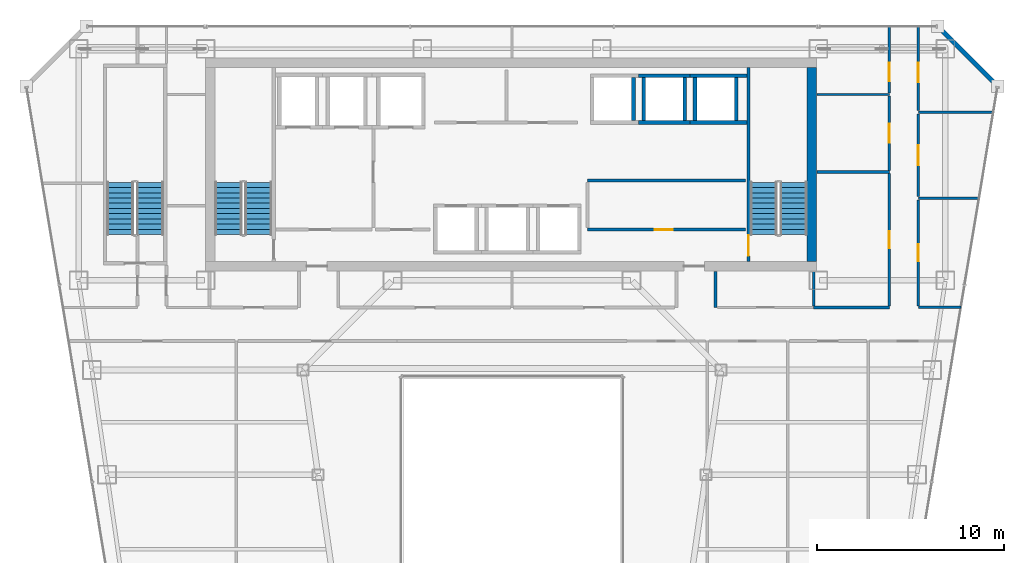
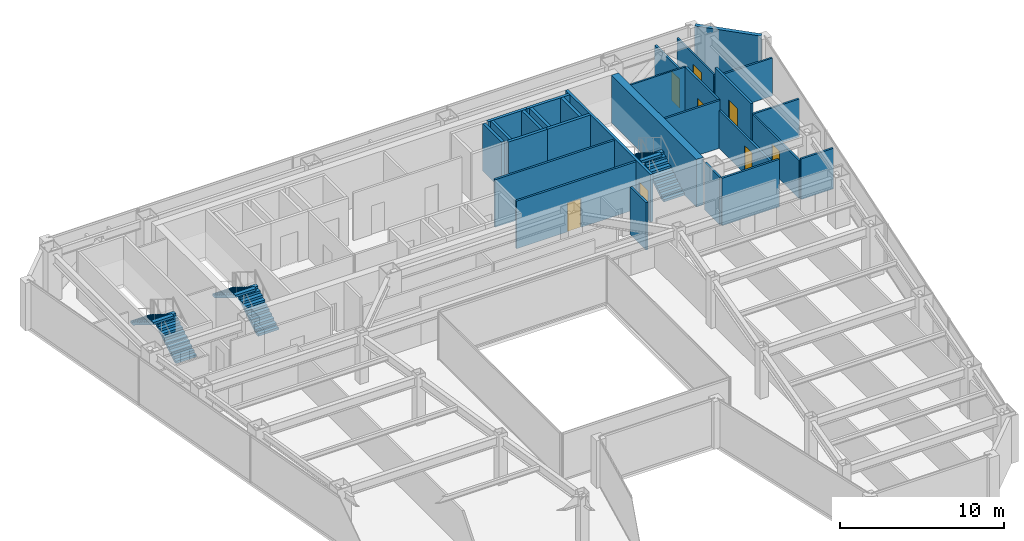
# One storey, part 33 of 36: 28 walls, 8 doors, 6 stair flights, 8 openings, 3 elements without a shape of their own.
"""IFC4 building model written with IfcOpenShell, lengths in metres."""

from ifc_helpers import new_model, si_unit, direction, frame, frame_2d, origin, place, context, subcontext, project, spatial, polyline, rectangle, outline, extrude, material, layer, layer_set, type_object, element, fill, aggregate, save


model = new_model("IFC4")

# Units and contexts
model_context = context("Model", 3, precision=1e-05, world=origin(), true_north=direction((0.0, 1.0)))
body_context = subcontext(model_context, "Body", "Model", "MODEL_VIEW")
ifc_project = project(units=[si_unit("LENGTHUNIT", "METRE"), si_unit("AREAUNIT", "SQUARE_METRE"), si_unit("VOLUMEUNIT", "CUBIC_METRE"), si_unit("PLANEANGLEUNIT", "RADIAN"), si_unit("MASSUNIT", "GRAM", prefix="KILO")], contexts=[model_context])

# Site, building, storey
site_placement = place(None, origin())
site = spatial("IfcSite", under=ifc_project, at=site_placement, CompositionType="ELEMENT")
building_placement = place(site_placement, origin())
building = spatial("IfcBuilding", under=site, at=building_placement, Name="Saevonmaru Cultural Tower", CompositionType="ELEMENT")
storey_placement = place(building_placement, frame((0.0, 0.0, 148.60009765625)))
storey = spatial("IfcBuildingStorey", under=building, at=storey_placement, Name="L32", CompositionType="ELEMENT", Elevation=148.60009765625)

# Wall
ifc_material_1 = material(Name="Concrete C60/75", Category="concrete")
ifc_layer_1 = layer(ifc_material_1, 0.5, Name="Concrete C60/75")
ifc_layer_set_1 = layer_set([ifc_layer_1], Name="Concrete C60/75")
wall_type_1 = type_object("IfcWallType", Name="WL-CORE-500", PredefinedType="SHEAR", material=ifc_layer_set_1)
wall_1_placement = place(storey_placement, frame((46.050048828125, 43.39990234375, 0.0), z_axis=(0.0, 0.0, 1.0), x_axis=(0.0, 1.0, 0.0)))
element("IfcWall", 1, at=wall_1_placement, inside=storey, type_object=wall_type_1, Name="L32 Tower RC core shear wall E", PredefinedType="SHEAR", context=body_context, shape_type="SweptSolid", body=[
    extrude(rectangle(XDim=10.400146484375, YDim=0.5, at=frame_2d((5.2001953125, 0.0))), origin(), (0.0, 0.0, 1.0), 3.5498046875),
])

# Wall, opening, door
ifc_material_2 = material(Name="Gypsum Fireboard Partition", Category="gypsum")
ifc_layer_2 = layer(ifc_material_2, 0.14990234375, Name="Gypsum Fireboard Partition")
ifc_layer_set_2 = layer_set([ifc_layer_2], Name="Gypsum Fireboard Partition")
wall_type_2 = type_object("IfcWallType", Name="WL-CORE-PART-150", PredefinedType="PARTITIONING", material=ifc_layer_set_2)
wall_2_placement = place(storey_placement, frame((34.050048828125, 45.1201171875, 0.0), z_axis=(0.0, 0.0, 1.0), x_axis=(1.0, 0.0, 0.0)))
wall_2 = element("IfcWall", 2, at=wall_2_placement, inside=storey, type_object=wall_type_2, Name="L32 Core Service South Wall", PredefinedType="PARTITIONING", context=body_context, shape_type="SweptSolid", body=[
    extrude(rectangle(XDim=8.449951171875, YDim=0.14990234375, at=frame_2d((4.22509765625, 0.0))), origin(), (0.0, 0.0, 1.0), 3.5498046875),
])
opening_1_placement = place(wall_2_placement, frame((3.60009765625, 0.0, 0.0)))
opening_1 = element("IfcOpeningElement", 3, at=opening_1_placement, cuts=wall_2, Name="Opening FD-4", PredefinedType="OPENING", context=body_context, shape_type="SweptSolid", body=[
    extrude(rectangle(XDim=0.949951171875, YDim=2.14990234375, at=frame_2d((0.47509765625, 1.074951171875))), frame((0.0, 0.0849609375, 0.0), z_axis=(0.0, -1.0, 0.0), x_axis=(1.0, 0.0, 0.0)), (0.0, 0.0, 1.0), 0.169921875),
])
ifc_material_3 = material(Name="Satin Bronze Anodised Aluminium", Category="aluminium")
door_type_1 = type_object("IfcDoorType", Name="DR-FD60-950", OperationType="SINGLE_SWING_LEFT", PredefinedType="DOOR", material=ifc_material_3)
door_1_placement = place(opening_1_placement, origin())
door_1 = element("IfcDoor", 4, at=door_1_placement, inside=storey, type_object=door_type_1, Name="L32 Telecom Riser Plant Door", OperationType="SINGLE_SWING_LEFT", OverallHeight=2.14990234375, OverallWidth=0.949951171875, PredefinedType="DOOR", context=body_context, shape_type="SweptSolid", body=[
    extrude(rectangle(XDim=0.949951171875, YDim=2.14990234375, at=frame_2d((0.47509765625, 1.074951171875))), frame((0.0, 0.02490234375, 0.0), z_axis=(0.0, -1.0, 0.0), x_axis=(1.0, 0.0, 0.0)), (0.0, 0.0, 1.0), 0.050048828125),
])
fill(opening_1, door_1)

# Walls
wall_3_placement = place(storey_placement, frame((34.050048828125, 47.75, 0.0), z_axis=(0.0, 0.0, 1.0), x_axis=(1.0, 0.0, 0.0)))
element("IfcWall", 5, at=wall_3_placement, inside=storey, type_object=wall_type_2, Name="L32 Core Service North Wall", PredefinedType="PARTITIONING", context=body_context, shape_type="SweptSolid", body=[
    extrude(rectangle(XDim=8.449951171875, YDim=0.14990234375, at=frame_2d((4.22509765625, 0.0))), origin(), (0.0, 0.0, 1.0), 3.5498046875),
])
ifc_material_4 = material(Name="Granite-Clad Precast Concrete C40/50", Category="masonry")
ifc_layer_3 = layer(ifc_material_4, 0.260009765625, Name="Granite-Clad Precast Concrete C40/50")
ifc_layer_set_3 = layer_set([ifc_layer_3], Name="Granite-Clad Precast Concrete C40/50")
wall_type_3 = type_object("IfcWallType", Name="WL-EXT-SPANDREL-260", PredefinedType="STANDARD", material=ifc_layer_set_3)
wall_4_placement = place(storey_placement, frame((55.886962890625, 52.9130859375, 0.0), z_axis=(0.0, 0.0, 1.0), x_axis=(-0.707106781187, 0.707106781187, 0.0)))
element("IfcWall", 6, at=wall_4_placement, inside=storey, type_object=wall_type_3, Name="L32 Chamfer Corner Spandrel Wall E9", PredefinedType="STANDARD", context=body_context, shape_type="SweptSolid", body=[
    extrude(rectangle(XDim=4.205810546875, YDim=0.260009765625, at=frame_2d((2.10302734375, 0.0))), origin(), (0.0, 0.0, 1.0), 3.5498046875),
])

# Wall, opening, door
ifc_layer_4 = layer(ifc_material_2, 0.14990234375, Name="Gypsum Fireboard Partition")
ifc_layer_set_4 = layer_set([ifc_layer_4], Name="Gypsum Fireboard Partition")
wall_type_4 = type_object("IfcWallType", Name="WL-PART-FIRE-150", PredefinedType="PARTITIONING", material=ifc_layer_set_4)
wall_5_placement = place(storey_placement, frame((50.199951171875, 48.2900390625, 0.0), z_axis=(0.0, 0.0, 1.0), x_axis=(0.0, 1.0, 0.0)))
wall_5 = element("IfcWall", 7, at=wall_5_placement, inside=storey, type_object=wall_type_4, Name="L32 Acoustic Chamber Auditorium Corridor Wall", PredefinedType="PARTITIONING", context=body_context, shape_type="SweptSolid", body=[
    extrude(rectangle(XDim=3.97998046875, YDim=0.14990234375, at=frame_2d((1.989990234375, 0.0))), origin(), (0.0, 0.0, 1.0), 3.5498046875),
])
opening_2_placement = place(wall_5_placement, frame((1.489990234375, 0.0, 0.0)))
opening_2 = element("IfcOpeningElement", 8, at=opening_2_placement, cuts=wall_5, Name="Opening ID-1B", PredefinedType="OPENING", context=body_context, shape_type="SweptSolid", body=[
    extrude(rectangle(XDim=1.0, YDim=2.14990234375, at=frame_2d((0.5, 1.074951171875))), frame((0.0, 0.0849609375, 0.0), z_axis=(0.0, -1.0, 0.0), x_axis=(1.0, 0.0, 0.0)), (0.0, 0.0, 1.0), 0.169921875),
])
ifc_material_5 = material(Name="Acoustic Stained Oak Timber", Category="wood")
door_type_2 = type_object("IfcDoorType", Name="DR-INT-1000", OperationType="SINGLE_SWING_RIGHT", PredefinedType="DOOR", material=ifc_material_5)
door_2_placement = place(opening_2_placement, origin())
door_2 = element("IfcDoor", 9, at=door_2_placement, inside=storey, type_object=door_type_2, Name="L32 Acoustic Chamber Auditorium Door", OperationType="SINGLE_SWING_LEFT", OverallHeight=2.14990234375, OverallWidth=1.0, PredefinedType="DOOR", context=body_context, shape_type="SweptSolid", body=[
    extrude(rectangle(XDim=1.0, YDim=2.14990234375, at=frame_2d((0.5, 1.074951171875))), frame((0.0, 0.02490234375, 0.0), z_axis=(0.0, -1.0, 0.0), x_axis=(1.0, 0.0, 0.0)), (0.0, 0.0, 1.0), 0.050048828125),
])
fill(opening_2, door_2)

wall_6_placement = place(storey_placement, frame((50.199951171875, 52.429931640625, 0.0), z_axis=(0.0, 0.0, 1.0), x_axis=(0.0, 1.0, 0.0)))
wall_6 = element("IfcWall", 10, at=wall_6_placement, inside=storey, type_object=wall_type_4, Name="L32 Sound Art Screening Auditorium Corridor Wall", PredefinedType="PARTITIONING", context=body_context, shape_type="SweptSolid", body=[
    extrude(rectangle(XDim=3.565185546875, YDim=0.14990234375, at=frame_2d((1.78271484375, 0.0))), origin(), (0.0, 0.0, 1.0), 2.934814453125),
])
opening_3_placement = place(wall_6_placement, frame((0.6220703125, 0.0, 0.0)))
opening_3 = element("IfcOpeningElement", 11, at=opening_3_placement, cuts=wall_6, Name="Opening ID-1B", PredefinedType="OPENING", context=body_context, shape_type="SweptSolid", body=[
    extrude(rectangle(XDim=1.0, YDim=2.14990234375, at=frame_2d((0.5, 1.074951171875))), frame((0.0, 0.0849609375, 0.0), z_axis=(0.0, -1.0, 0.0), x_axis=(1.0, 0.0, 0.0)), (0.0, 0.0, 1.0), 0.169921875),
])
door_3_placement = place(opening_3_placement, origin())
door_3 = element("IfcDoor", 12, at=door_3_placement, inside=storey, type_object=door_type_2, Name="L32 Sound Art Screening Auditorium Door", OperationType="SINGLE_SWING_RIGHT", OverallHeight=2.14990234375, OverallWidth=1.0, PredefinedType="DOOR", context=body_context, shape_type="SweptSolid", body=[
    extrude(rectangle(XDim=1.0, YDim=2.14990234375, at=frame_2d((0.5, 1.074951171875))), frame((0.0, 0.02490234375, 0.0), z_axis=(0.0, -1.0, 0.0), x_axis=(1.0, 0.0, 0.0)), (0.0, 0.0, 1.0), 0.050048828125),
])
fill(opening_3, door_3)

wall_7_placement = place(storey_placement, frame((51.75, 46.887451171875, 0.0), z_axis=(0.0, 0.0, 1.0), x_axis=(0.0, 1.0, 0.0)))
wall_7 = element("IfcWall", 13, at=wall_7_placement, inside=storey, type_object=wall_type_4, Name="L32 Sky Observatory Gallery Corridor Wall", PredefinedType="PARTITIONING", context=body_context, shape_type="SweptSolid", body=[
    extrude(rectangle(XDim=4.425048828125, YDim=0.14990234375, at=frame_2d((2.21240234375, 0.0))), origin(), (0.0, 0.0, 1.0), 3.5498046875),
])
opening_4_placement = place(wall_7_placement, frame((1.68701171875, 0.0, 0.0)))
opening_4 = element("IfcOpeningElement", 14, at=opening_4_placement, cuts=wall_7, Name="Opening ID-1", PredefinedType="OPENING", context=body_context, shape_type="SweptSolid", body=[
    extrude(rectangle(XDim=1.050048828125, YDim=2.14990234375, at=frame_2d((0.52490234375, 1.074951171875))), frame((0.0, 0.0849609375, 0.0), z_axis=(0.0, -1.0, 0.0), x_axis=(1.0, 0.0, 0.0)), (0.0, 0.0, 1.0), 0.169921875),
])
door_type_3 = type_object("IfcDoorType", Name="DR-INT-1050", OperationType="SINGLE_SWING_LEFT", PredefinedType="DOOR", material=ifc_material_3)
door_4_placement = place(opening_4_placement, origin())
door_4 = element("IfcDoor", 15, at=door_4_placement, inside=storey, type_object=door_type_3, Name="L32 Sky Observatory Gallery Door", OperationType="SINGLE_SWING_RIGHT", OverallHeight=2.14990234375, OverallWidth=1.050048828125, PredefinedType="DOOR", context=body_context, shape_type="SweptSolid", body=[
    extrude(rectangle(XDim=1.050048828125, YDim=2.14990234375, at=frame_2d((0.52490234375, 1.074951171875))), frame((0.0, 0.02490234375, 0.0), z_axis=(0.0, -1.0, 0.0), x_axis=(1.0, 0.0, 0.0)), (0.0, 0.0, 1.0), 0.050048828125),
])
fill(opening_4, door_4)

# Walls
wall_8_placement = place(storey_placement, frame((40.89990234375, 40.949951171875, 0.0), z_axis=(0.0, 0.0, 1.0), x_axis=(0.0, 1.0, 0.0)))
element("IfcWall", 16, at=wall_8_placement, inside=storey, type_object=wall_type_4, Name="L32 Core Portal Side Wall E2", PredefinedType="PARTITIONING", context=body_context, shape_type="SweptSolid", body=[
    extrude(rectangle(XDim=1.929931640625, YDim=0.14990234375, at=frame_2d((0.96484375, 0.0))), origin(), (0.0, 0.0, 1.0), 3.5498046875),
])
ifc_layer_5 = layer(ifc_material_2, 0.1201171875, Name="Gypsum Fireboard Partition")
ifc_layer_set_5 = layer_set([ifc_layer_5], Name="Gypsum Fireboard Partition")
wall_type_5 = type_object("IfcWallType", Name="WL-PART-GYP-120", PredefinedType="PARTITIONING", material=ifc_layer_set_5)
wall_9_placement = place(storey_placement, frame((46.320068359375, 52.35009765625, 0.0), z_axis=(0.0, 0.0, 1.0), x_axis=(1.0, 0.0, 0.0)))
element("IfcWall", 17, at=wall_9_placement, inside=storey, type_object=wall_type_5, Name="L32 North-East Panorama South Wall", PredefinedType="PARTITIONING", context=body_context, shape_type="SweptSolid", body=[
    extrude(rectangle(XDim=3.8798828125, YDim=0.1201171875, at=frame_2d((1.93994140625, 0.0))), origin(), (0.0, 0.0, 1.0), 3.5498046875),
])

# Wall, opening, door
wall_10_placement = place(storey_placement, frame((51.75, 41.03759765625, 0.0), z_axis=(0.0, 0.0, 1.0), x_axis=(0.0, 1.0, 0.0)))
wall_10 = element("IfcWall", 18, at=wall_10_placement, inside=storey, type_object=wall_type_5, Name="L32 Scholarly Colloquium Meeting Room Corridor Wall", PredefinedType="PARTITIONING", context=body_context, shape_type="SweptSolid", body=[
    extrude(rectangle(XDim=5.6748046875, YDim=0.1201171875, at=frame_2d((2.83740234375, 0.0))), origin(), (0.0, 0.0, 1.0), 2.8349609375),
])
opening_5_placement = place(wall_10_placement, frame((2.386962890625, 0.0, 0.0)))
opening_5 = element("IfcOpeningElement", 19, at=opening_5_placement, cuts=wall_10, Name="Opening ID-2", PredefinedType="OPENING", context=body_context, shape_type="SweptSolid", body=[
    extrude(rectangle(XDim=0.89990234375, YDim=2.10009765625, at=frame_2d((0.449951171875, 1.050048828125))), frame((0.0, 0.070068359375, 0.0), z_axis=(0.0, -1.0, 0.0), x_axis=(1.0, 0.0, 0.0)), (0.0, 0.0, 1.0), 0.14013671875),
])
door_type_4 = type_object("IfcDoorType", Name="DR-INT-900", OperationType="SINGLE_SWING_RIGHT", PredefinedType="DOOR", material=ifc_material_5)
door_5_placement = place(opening_5_placement, origin())
door_5 = element("IfcDoor", 20, at=door_5_placement, inside=storey, type_object=door_type_4, Name="L32 Scholarly Colloquium Meeting Room Door", OperationType="SINGLE_SWING_LEFT", OverallHeight=2.10009765625, OverallWidth=0.89990234375, PredefinedType="DOOR", context=body_context, shape_type="SweptSolid", body=[
    extrude(rectangle(XDim=0.89990234375, YDim=2.10009765625, at=frame_2d((0.449951171875, 1.050048828125))), frame((0.0, 0.02490234375, 0.0), z_axis=(0.0, -1.0, 0.0), x_axis=(1.0, 0.0, 0.0)), (0.0, 0.0, 1.0), 0.050048828125),
])
fill(opening_5, door_5)

wall_11_placement = place(storey_placement, frame((51.75, 51.487548828125, 0.0), z_axis=(0.0, 0.0, 1.0), x_axis=(0.0, 1.0, 0.0)))
wall_11 = element("IfcWall", 21, at=wall_11_placement, inside=storey, type_object=wall_type_5, Name="L32 Panorama Reading Room Corridor Wall", PredefinedType="PARTITIONING", context=body_context, shape_type="SweptSolid", body=[
    extrude(rectangle(XDim=4.507568359375, YDim=0.1201171875, at=frame_2d((2.25390625, 0.0))), origin(), (0.0, 0.0, 1.0), 2.934814453125),
])
opening_6_placement = place(wall_11_placement, frame((1.509033203125, 0.0, 0.0)))
opening_6 = element("IfcOpeningElement", 22, at=opening_6_placement, cuts=wall_11, Name="Opening ID-1", PredefinedType="OPENING", context=body_context, shape_type="SweptSolid", body=[
    extrude(rectangle(XDim=1.050048828125, YDim=2.14990234375, at=frame_2d((0.52490234375, 1.074951171875))), frame((0.0, 0.070068359375, 0.0), z_axis=(0.0, -1.0, 0.0), x_axis=(1.0, 0.0, 0.0)), (0.0, 0.0, 1.0), 0.14013671875),
])
door_6_placement = place(opening_6_placement, origin())
door_6 = element("IfcDoor", 23, at=door_6_placement, inside=storey, type_object=door_type_3, Name="L32 Panorama Reading Room Door", OperationType="SINGLE_SWING_LEFT", OverallHeight=2.14990234375, OverallWidth=1.050048828125, PredefinedType="DOOR", context=body_context, shape_type="SweptSolid", body=[
    extrude(rectangle(XDim=1.050048828125, YDim=2.14990234375, at=frame_2d((0.52490234375, 1.074951171875))), frame((0.0, 0.02490234375, 0.0), z_axis=(0.0, -1.0, 0.0), x_axis=(1.0, 0.0, 0.0)), (0.0, 0.0, 1.0), 0.050048828125),
])
fill(opening_6, door_6)

# Walls
ifc_layer_6 = layer(ifc_material_2, 0.135009765625, Name="Gypsum Fireboard Partition")
ifc_layer_set_6 = layer_set([ifc_layer_6], Name="Gypsum Fireboard Partition")
wall_type_6 = type_object("IfcWallType", Name="WL-PART-GYP-135", PredefinedType="PARTITIONING", material=ifc_layer_set_6)
wall_12_placement = place(storey_placement, frame((51.75, 40.949951171875, 0.0), z_axis=(0.0, 0.0, 1.0), x_axis=(1.0, 0.0, 0.0)))
element("IfcWall", 24, at=wall_12_placement, inside=storey, type_object=wall_type_6, Name="L32 NE Wing South Wall", PredefinedType="PARTITIONING", context=body_context, shape_type="SweptSolid", body=[
    extrude(rectangle(XDim=2.27490234375, YDim=0.135009765625, at=frame_2d((1.137451171875, 0.0))), origin(), (0.0, 0.0, 1.0), 3.034912109375),
])
wall_13_placement = place(storey_placement, frame((51.75, 46.800048828125, 0.0), z_axis=(0.0, 0.0, 1.0), x_axis=(1.0, 0.0, 0.0)))
element("IfcWall", 25, at=wall_13_placement, inside=storey, type_object=wall_type_6, Name="L32 NE Studio Divider 1", PredefinedType="PARTITIONING", context=body_context, shape_type="SweptSolid", body=[
    extrude(rectangle(XDim=3.247314453125, YDim=0.135009765625, at=frame_2d((1.62353515625, 0.0))), origin(), (0.0, 0.0, 1.0), 2.8349609375),
])
wall_14_placement = place(storey_placement, frame((51.75, 51.39990234375, 0.0), z_axis=(0.0, 0.0, 1.0), x_axis=(1.0, 0.0, 0.0)))
element("IfcWall", 26, at=wall_14_placement, inside=storey, type_object=wall_type_6, Name="L32 NE Studio Divider 2", PredefinedType="PARTITIONING", context=body_context, shape_type="SweptSolid", body=[
    extrude(rectangle(XDim=4.01220703125, YDim=0.135009765625, at=frame_2d((2.006103515625, 0.0))), origin(), (0.0, 0.0, 1.0), 2.8349609375),
])
ifc_layer_7 = layer(ifc_material_2, 0.139892578125, Name="Gypsum Fireboard Partition")
ifc_layer_set_7 = layer_set([ifc_layer_7], Name="Gypsum Fireboard Partition")
wall_type_7 = type_object("IfcWallType", Name="WL-PART-WET-140", PredefinedType="PARTITIONING", material=ifc_layer_set_7)
wall_15_placement = place(storey_placement, frame((46.14990234375, 40.949951171875, 0.0), z_axis=(0.0, 0.0, 1.0), x_axis=(1.0, 0.0, 0.0)))
element("IfcWall", 27, at=wall_15_placement, inside=storey, type_object=wall_type_7, Name="L32 Washroom South Wall", PredefinedType="PARTITIONING", context=body_context, shape_type="SweptSolid", body=[
    extrude(rectangle(XDim=4.050048828125, YDim=0.139892578125, at=frame_2d((2.02490234375, 0.0))), origin(), (0.0, 0.0, 1.0), 3.5498046875),
])
wall_16_placement = place(storey_placement, frame((46.14990234375, 41.0400390625, 0.0), z_axis=(0.0, 0.0, 1.0), x_axis=(0.0, 1.0, 0.0)))
element("IfcWall", 28, at=wall_16_placement, inside=storey, type_object=wall_type_7, Name="L32 Washroom South-West Return", PredefinedType="PARTITIONING", context=body_context, shape_type="SweptSolid", body=[
    extrude(rectangle(XDim=1.83984375, YDim=0.139892578125, at=frame_2d((0.919921875, 0.0))), origin(), (0.0, 0.0, 1.0), 3.5498046875),
])
wall_17_placement = place(storey_placement, frame((46.320068359375, 48.199951171875, 0.0), z_axis=(0.0, 0.0, 1.0), x_axis=(1.0, 0.0, 0.0)))
element("IfcWall", 29, at=wall_17_placement, inside=storey, type_object=wall_type_7, Name="L32 Washroom North Wall", PredefinedType="PARTITIONING", context=body_context, shape_type="SweptSolid", body=[
    extrude(rectangle(XDim=3.8798828125, YDim=0.139892578125, at=frame_2d((1.93994140625, 0.0))), origin(), (0.0, 0.0, 1.0), 3.5498046875),
])

# Wall, opening, door
wall_18_placement = place(storey_placement, frame((50.199951171875, 41.0400390625, 0.0), z_axis=(0.0, 0.0, 1.0), x_axis=(0.0, 1.0, 0.0)))
wall_18 = element("IfcWall", 30, at=wall_18_placement, inside=storey, type_object=wall_type_7, Name="L32 Washroom Corridor Wall", PredefinedType="PARTITIONING", context=body_context, shape_type="SweptSolid", body=[
    extrude(rectangle(XDim=7.070068359375, YDim=0.139892578125, at=frame_2d((3.53515625, 0.0))), origin(), (0.0, 0.0, 1.0), 2.8349609375),
])
opening_7_placement = place(wall_18_placement, frame((3.0849609375, 0.0, 0.0)))
opening_7 = element("IfcOpeningElement", 31, at=opening_7_placement, cuts=wall_18, Name="Opening ID-2", PredefinedType="OPENING", context=body_context, shape_type="SweptSolid", body=[
    extrude(rectangle(XDim=0.89990234375, YDim=2.10009765625, at=frame_2d((0.449951171875, 1.050048828125))), frame((0.0, 0.080078125, 0.0), z_axis=(0.0, -1.0, 0.0), x_axis=(1.0, 0.0, 0.0)), (0.0, 0.0, 1.0), 0.159912109375),
])
door_7_placement = place(opening_7_placement, origin())
door_7 = element("IfcDoor", 32, at=door_7_placement, inside=storey, type_object=door_type_4, Name="L32 Public Accessible Washrooms Door", OperationType="SINGLE_SWING_RIGHT", OverallHeight=2.10009765625, OverallWidth=0.89990234375, PredefinedType="DOOR", context=body_context, shape_type="SweptSolid", body=[
    extrude(rectangle(XDim=0.89990234375, YDim=2.10009765625, at=frame_2d((0.449951171875, 1.050048828125))), frame((0.0, 0.02490234375, 0.0), z_axis=(0.0, -1.0, 0.0), x_axis=(1.0, 0.0, 0.0)), (0.0, 0.0, 1.0), 0.050048828125),
])
fill(opening_7, door_7)

# Walls
ifc_material_6 = material(Name="Concrete C40/50", Category="concrete")
ifc_layer_8 = layer(ifc_material_6, 0.199951171875, Name="Concrete C40/50")
ifc_layer_set_8 = layer_set([ifc_layer_8], Name="Concrete C40/50")
wall_type_8 = type_object("IfcWallType", Name="WL-SHAFT-200", PredefinedType="SHEAR", material=ifc_layer_set_8)
wall_19_placement = place(storey_placement, frame((36.5, 50.949951171875, 0.0), z_axis=(0.0, 0.0, 1.0), x_axis=(0.0, 1.0, 0.0)))
element("IfcWall", 33, at=wall_19_placement, inside=storey, type_object=wall_type_8, Name="L32 Lift PL-H1 Hoistway Wall E", PredefinedType="SHEAR", context=body_context, shape_type="SweptSolid", body=[
    extrude(rectangle(XDim=2.300048828125, YDim=0.199951171875, at=frame_2d((1.14990234375, 0.0))), origin(), (0.0, 0.0, 1.0), 3.5498046875),
])
for number, where, z_axis, x_axis, name in (
    (34, (36.77490234375, 50.85009765625, 0.0), (0.0, 0.0, 1.0), (1.0, 0.0, 0.0), "L32 Lift PL-H2 Hoistway Wall S"),
    (35, (36.77490234375, 53.35009765625, 0.0), (0.0, 0.0, 1.0), (1.0, 0.0, 0.0), "L32 Lift PL-H2 Hoistway Wall N"),
):
    element("IfcWall", number, at=place(storey_placement, frame(where, z_axis=z_axis, x_axis=x_axis)), inside=storey, type_object=wall_type_8, Name=name, PredefinedType="SHEAR", context=body_context, shape_type="SweptSolid", body=[
        extrude(rectangle(XDim=2.75, YDim=0.199951171875, at=frame_2d((1.375, 0.0))), origin(), (0.0, 0.0, 1.0), 3.5498046875),
    ])
for number, where, z_axis, x_axis, name in (
    (36, (37.050048828125, 50.949951171875, 0.0), (0.0, 0.0, 1.0), (0.0, 1.0, 0.0), "L32 Lift PL-H2 Hoistway Wall W"),
    (37, (39.25, 50.949951171875, 0.0), (0.0, 0.0, 1.0), (0.0, 1.0, 0.0), "L32 Lift PL-H2 Hoistway Wall E"),
):
    element("IfcWall", number, at=place(storey_placement, frame(where, z_axis=z_axis, x_axis=x_axis)), inside=storey, type_object=wall_type_8, Name=name, PredefinedType="SHEAR", context=body_context, shape_type="SweptSolid", body=[
        extrude(rectangle(XDim=2.300048828125, YDim=0.199951171875, at=frame_2d((1.14990234375, 0.0))), origin(), (0.0, 0.0, 1.0), 3.5498046875),
    ])
for number, where, z_axis, x_axis, name in (
    (38, (39.52490234375, 50.85009765625, 0.0), (0.0, 0.0, 1.0), (1.0, 0.0, 0.0), "L32 Lift PL-H3 Hoistway Wall S"),
    (39, (39.52490234375, 53.35009765625, 0.0), (0.0, 0.0, 1.0), (1.0, 0.0, 0.0), "L32 Lift PL-H3 Hoistway Wall N"),
):
    element("IfcWall", number, at=place(storey_placement, frame(where, z_axis=z_axis, x_axis=x_axis)), inside=storey, type_object=wall_type_8, Name=name, PredefinedType="SHEAR", context=body_context, shape_type="SweptSolid", body=[
        extrude(rectangle(XDim=3.045166015625, YDim=0.199951171875, at=frame_2d((1.5224609375, 0.0))), origin(), (0.0, 0.0, 1.0), 3.5498046875),
    ])
for number, where, z_axis, x_axis, name in (
    (40, (39.800048828125, 50.949951171875, 0.0), (0.0, 0.0, 1.0), (0.0, 1.0, 0.0), "L32 Lift PL-H3 Hoistway Wall W"),
    (41, (42.0, 50.949951171875, 0.0), (0.0, 0.0, 1.0), (0.0, 1.0, 0.0), "L32 Lift PL-H3 Hoistway Wall E"),
):
    element("IfcWall", number, at=place(storey_placement, frame(where, z_axis=z_axis, x_axis=x_axis)), inside=storey, type_object=wall_type_8, Name=name, PredefinedType="SHEAR", context=body_context, shape_type="SweptSolid", body=[
        extrude(rectangle(XDim=2.300048828125, YDim=0.199951171875, at=frame_2d((1.14990234375, 0.0))), origin(), (0.0, 0.0, 1.0), 3.5498046875),
    ])

# Wall, opening, door
ifc_layer_9 = layer(ifc_material_6, 0.179931640625, Name="Concrete C40/50")
ifc_layer_set_9 = layer_set([ifc_layer_9], Name="Concrete C40/50")
wall_type_9 = type_object("IfcWallType", Name="WL-STSHAFT-180", PredefinedType="SHEAR", material=ifc_layer_set_9)
wall_20_placement = place(storey_placement, frame((42.659912109375, 53.800048828125, 0.0), z_axis=(0.0, 0.0, 1.0), x_axis=(0.0, -1.0, 0.0)))
wall_20 = element("IfcWall", 42, at=wall_20_placement, inside=storey, type_object=wall_type_9, Name="L32 Stair ST-2 Structural Shaft Wall 1", PredefinedType="SHEAR", context=body_context, shape_type="SweptSolid", body=[
    extrude(rectangle(XDim=10.400146484375, YDim=0.179931640625, at=frame_2d((5.2001953125, 0.0))), origin(), (0.0, 0.0, 1.0), 3.5498046875),
])
opening_8_placement = place(wall_20_placement, frame((8.989990234375, 0.0, 0.0)))
opening_8 = element("IfcOpeningElement", 43, at=opening_8_placement, cuts=wall_20, Name="Opening FD-2", PredefinedType="OPENING", context=body_context, shape_type="SweptSolid", body=[
    extrude(rectangle(XDim=1.10009765625, YDim=2.14990234375, at=frame_2d((0.550048828125, 1.074951171875))), frame((0.0, 0.10009765625, 0.0), z_axis=(0.0, -1.0, 0.0), x_axis=(1.0, 0.0, 0.0)), (0.0, 0.0, 1.0), 0.199951171875),
])
door_type_5 = type_object("IfcDoorType", Name="DR-FD60-1100", OperationType="SINGLE_SWING_LEFT", PredefinedType="DOOR", material=ifc_material_3)
door_8_placement = place(opening_8_placement, origin())
door_8 = element("IfcDoor", 44, at=door_8_placement, inside=storey, type_object=door_type_5, Name="L32 Protected Stair ST-2 Fire Door", OperationType="SINGLE_SWING_LEFT", OverallHeight=2.14990234375, OverallWidth=1.10009765625, PredefinedType="DOOR", context=body_context, shape_type="SweptSolid", body=[
    extrude(rectangle(XDim=1.10009765625, YDim=2.14990234375, at=frame_2d((0.550048828125, 1.074951171875))), frame((0.0, 0.02490234375, 0.0), z_axis=(0.0, -1.0, 0.0), x_axis=(1.0, 0.0, 0.0)), (0.0, 0.0, 1.0), 0.050048828125),
])
fill(opening_8, door_8)

# Stair, stair flights
stair_type = type_object("IfcStairType", Name="STR-DOGLEG-RC", PredefinedType="HALF_TURN_STAIR", material=ifc_material_6)
stair_1_placement = place(storey_placement, origin())
stair_1 = element("IfcStair", 45, at=stair_1_placement, inside=storey, type_object=stair_type, Name="L32 Protected exit stair ST-1", PredefinedType="HALF_TURN_STAIR")
ifc_material_7 = material(Name="Precast concrete C40/50", Category="concrete")
stair_flight_type = type_object("IfcStairFlightType", Name="STF-PRECAST-180", PredefinedType="STRAIGHT", material=ifc_material_7)
stair_flight_1_placement = place(storey_placement, frame((16.425048828125, 44.85009765625, 0.0), z_axis=(0.0, 0.0, 1.0), x_axis=(0.0, 1.0, 0.0)))
stair_flight_1 = element("IfcStairFlight", 46, at=stair_flight_1_placement, type_object=stair_flight_type, Name="ST-1-L32 flight 1", NumberOfRisers=11, NumberOfTreads=10, PredefinedType="STRAIGHT", RiserHeight=0.172727273, TreadLength=0.28, context=body_context, shape_type="SweptSolid", body=[
    extrude(outline(polyline([(0.0, 0.0), (0.0, 0.172607421875), (0.280029296875, 0.172607421875), (0.280029296875, 0.345458984375), (0.56005859375, 0.345458984375), (0.56005859375, 0.51806640625), (0.840087890625, 0.51806640625), (0.840087890625, 0.69091796875), (1.1201171875, 0.69091796875), (1.1201171875, 0.863525390625), (1.39990234375, 0.863525390625), (1.39990234375, 1.036376953125), (1.679931640625, 1.036376953125), (1.679931640625, 1.208984375), (1.9599609375, 1.208984375), (1.9599609375, 1.3818359375), (2.239990234375, 1.3818359375), (2.239990234375, 1.554443359375), (2.52001953125, 1.554443359375), (2.52001953125, 1.727294921875), (2.800048828125, 1.727294921875), (2.800048828125, 1.89990234375), (2.800048828125, 1.551025390625), (0.285400390625, 0.0), (0.0, 0.0)])), frame((0.0, 0.72509765625, 0.0), z_axis=(0.0, -1.0, 0.0), x_axis=(1.0, 0.0, 0.0)), (0.0, 0.0, 1.0), 1.449951171875),
])
stair_flight_2_placement = place(storey_placement, frame((14.824951171875, 47.64990234375, 1.89990234375), z_axis=(0.0, 0.0, 1.0), x_axis=(0.0, -1.0, 0.0)))
stair_flight_2 = element("IfcStairFlight", 47, at=stair_flight_2_placement, type_object=stair_flight_type, Name="ST-1-L32 flight 2", NumberOfRisers=11, NumberOfTreads=10, PredefinedType="STRAIGHT", RiserHeight=0.172727273, TreadLength=0.28, context=body_context, shape_type="SweptSolid", body=[
    extrude(outline(polyline([(0.0, 0.0), (0.0, 0.172607421875), (0.280029296875, 0.172607421875), (0.280029296875, 0.345458984375), (0.56005859375, 0.345458984375), (0.56005859375, 0.51806640625), (0.840087890625, 0.51806640625), (0.840087890625, 0.69091796875), (1.1201171875, 0.69091796875), (1.1201171875, 0.863525390625), (1.39990234375, 0.863525390625), (1.39990234375, 1.036376953125), (1.679931640625, 1.036376953125), (1.679931640625, 1.208984375), (1.9599609375, 1.208984375), (1.9599609375, 1.3818359375), (2.239990234375, 1.3818359375), (2.239990234375, 1.554443359375), (2.52001953125, 1.554443359375), (2.52001953125, 1.727294921875), (2.800048828125, 1.727294921875), (2.800048828125, 1.89990234375), (2.800048828125, 1.551025390625), (0.285400390625, 0.0), (0.0, 0.0)])), frame((0.0, 0.72509765625, 0.0), z_axis=(0.0, -1.0, 0.0), x_axis=(1.0, 0.0, 0.0)), (0.0, 0.0, 1.0), 1.449951171875),
])
aggregate(stair_1, [stair_flight_1, stair_flight_2])

stair_2_placement = place(storey_placement, origin())
stair_2 = element("IfcStair", 48, at=stair_2_placement, inside=storey, type_object=stair_type, Name="L32 Protected exit stair ST-2", PredefinedType="HALF_TURN_STAIR")
stair_flight_3_placement = place(storey_placement, frame((45.074951171875, 44.85009765625, 0.0), z_axis=(0.0, 0.0, 1.0), x_axis=(0.0, 1.0, 0.0)))
stair_flight_3 = element("IfcStairFlight", 49, at=stair_flight_3_placement, type_object=stair_flight_type, Name="ST-2-L32 flight 1", NumberOfRisers=11, NumberOfTreads=10, PredefinedType="STRAIGHT", RiserHeight=0.172727273, TreadLength=0.28, context=body_context, shape_type="SweptSolid", body=[
    extrude(outline(polyline([(0.0, 0.0), (0.0, 0.172607421875), (0.280029296875, 0.172607421875), (0.280029296875, 0.345458984375), (0.56005859375, 0.345458984375), (0.56005859375, 0.51806640625), (0.840087890625, 0.51806640625), (0.840087890625, 0.69091796875), (1.1201171875, 0.69091796875), (1.1201171875, 0.863525390625), (1.39990234375, 0.863525390625), (1.39990234375, 1.036376953125), (1.679931640625, 1.036376953125), (1.679931640625, 1.208984375), (1.9599609375, 1.208984375), (1.9599609375, 1.3818359375), (2.239990234375, 1.3818359375), (2.239990234375, 1.554443359375), (2.52001953125, 1.554443359375), (2.52001953125, 1.727294921875), (2.800048828125, 1.727294921875), (2.800048828125, 1.89990234375), (2.800048828125, 1.551025390625), (0.285400390625, 0.0), (0.0, 0.0)])), frame((0.0, 0.72509765625, 0.0), z_axis=(0.0, -1.0, 0.0), x_axis=(1.0, 0.0, 0.0)), (0.0, 0.0, 1.0), 1.449951171875),
])
stair_flight_4_placement = place(storey_placement, frame((43.47509765625, 47.64990234375, 1.89990234375), z_axis=(0.0, 0.0, 1.0), x_axis=(0.0, -1.0, 0.0)))
stair_flight_4 = element("IfcStairFlight", 50, at=stair_flight_4_placement, type_object=stair_flight_type, Name="ST-2-L32 flight 2", NumberOfRisers=11, NumberOfTreads=10, PredefinedType="STRAIGHT", RiserHeight=0.172727273, TreadLength=0.28, context=body_context, shape_type="SweptSolid", body=[
    extrude(outline(polyline([(0.0, 0.0), (0.0, 0.172607421875), (0.280029296875, 0.172607421875), (0.280029296875, 0.345458984375), (0.56005859375, 0.345458984375), (0.56005859375, 0.51806640625), (0.840087890625, 0.51806640625), (0.840087890625, 0.69091796875), (1.1201171875, 0.69091796875), (1.1201171875, 0.863525390625), (1.39990234375, 0.863525390625), (1.39990234375, 1.036376953125), (1.679931640625, 1.036376953125), (1.679931640625, 1.208984375), (1.9599609375, 1.208984375), (1.9599609375, 1.3818359375), (2.239990234375, 1.3818359375), (2.239990234375, 1.554443359375), (2.52001953125, 1.554443359375), (2.52001953125, 1.727294921875), (2.800048828125, 1.727294921875), (2.800048828125, 1.89990234375), (2.800048828125, 1.551025390625), (0.285400390625, 0.0), (0.0, 0.0)])), frame((0.0, 0.72509765625, 0.0), z_axis=(0.0, -1.0, 0.0), x_axis=(1.0, 0.0, 0.0)), (0.0, 0.0, 1.0), 1.449951171875),
])
aggregate(stair_2, [stair_flight_3, stair_flight_4])

stair_3_placement = place(storey_placement, origin())
stair_3 = element("IfcStair", 51, at=stair_3_placement, inside=storey, type_object=stair_type, Name="L32 Protected exit stair ST-3", PredefinedType="HALF_TURN_STAIR")
stair_flight_5_placement = place(storey_placement, frame((10.625, 44.85009765625, 0.0), z_axis=(0.0, 0.0, 1.0), x_axis=(0.0, 1.0, 0.0)))
stair_flight_5 = element("IfcStairFlight", 52, at=stair_flight_5_placement, type_object=stair_flight_type, Name="ST-3-L32 flight 1", NumberOfRisers=11, NumberOfTreads=10, PredefinedType="STRAIGHT", RiserHeight=0.172727273, TreadLength=0.28, context=body_context, shape_type="SweptSolid", body=[
    extrude(outline(polyline([(0.0, 0.0), (0.0, 0.172607421875), (0.280029296875, 0.172607421875), (0.280029296875, 0.345458984375), (0.56005859375, 0.345458984375), (0.56005859375, 0.51806640625), (0.840087890625, 0.51806640625), (0.840087890625, 0.69091796875), (1.1201171875, 0.69091796875), (1.1201171875, 0.863525390625), (1.39990234375, 0.863525390625), (1.39990234375, 1.036376953125), (1.679931640625, 1.036376953125), (1.679931640625, 1.208984375), (1.9599609375, 1.208984375), (1.9599609375, 1.3818359375), (2.239990234375, 1.3818359375), (2.239990234375, 1.554443359375), (2.52001953125, 1.554443359375), (2.52001953125, 1.727294921875), (2.800048828125, 1.727294921875), (2.800048828125, 1.89990234375), (2.800048828125, 1.551025390625), (0.285400390625, 0.0), (0.0, 0.0)])), frame((0.0, 0.72509765625, 0.0), z_axis=(0.0, -1.0, 0.0), x_axis=(1.0, 0.0, 0.0)), (0.0, 0.0, 1.0), 1.449951171875),
])
stair_flight_6_placement = place(storey_placement, frame((9.02490234375, 47.64990234375, 1.89990234375), z_axis=(0.0, 0.0, 1.0), x_axis=(0.0, -1.0, 0.0)))
stair_flight_6 = element("IfcStairFlight", 53, at=stair_flight_6_placement, type_object=stair_flight_type, Name="ST-3-L32 flight 2", NumberOfRisers=11, NumberOfTreads=10, PredefinedType="STRAIGHT", RiserHeight=0.172727273, TreadLength=0.28, context=body_context, shape_type="SweptSolid", body=[
    extrude(outline(polyline([(0.0, 0.0), (0.0, 0.172607421875), (0.280029296875, 0.172607421875), (0.280029296875, 0.345458984375), (0.56005859375, 0.345458984375), (0.56005859375, 0.51806640625), (0.840087890625, 0.51806640625), (0.840087890625, 0.69091796875), (1.1201171875, 0.69091796875), (1.1201171875, 0.863525390625), (1.39990234375, 0.863525390625), (1.39990234375, 1.036376953125), (1.679931640625, 1.036376953125), (1.679931640625, 1.208984375), (1.9599609375, 1.208984375), (1.9599609375, 1.3818359375), (2.239990234375, 1.3818359375), (2.239990234375, 1.554443359375), (2.52001953125, 1.554443359375), (2.52001953125, 1.727294921875), (2.800048828125, 1.727294921875), (2.800048828125, 1.89990234375), (2.800048828125, 1.551025390625), (0.285400390625, 0.0), (0.0, 0.0)])), frame((0.0, 0.72509765625, 0.0), z_axis=(0.0, -1.0, 0.0), x_axis=(1.0, 0.0, 0.0)), (0.0, 0.0, 1.0), 1.449951171875),
])
aggregate(stair_3, [stair_flight_5, stair_flight_6])

save(model, "model.ifc")
